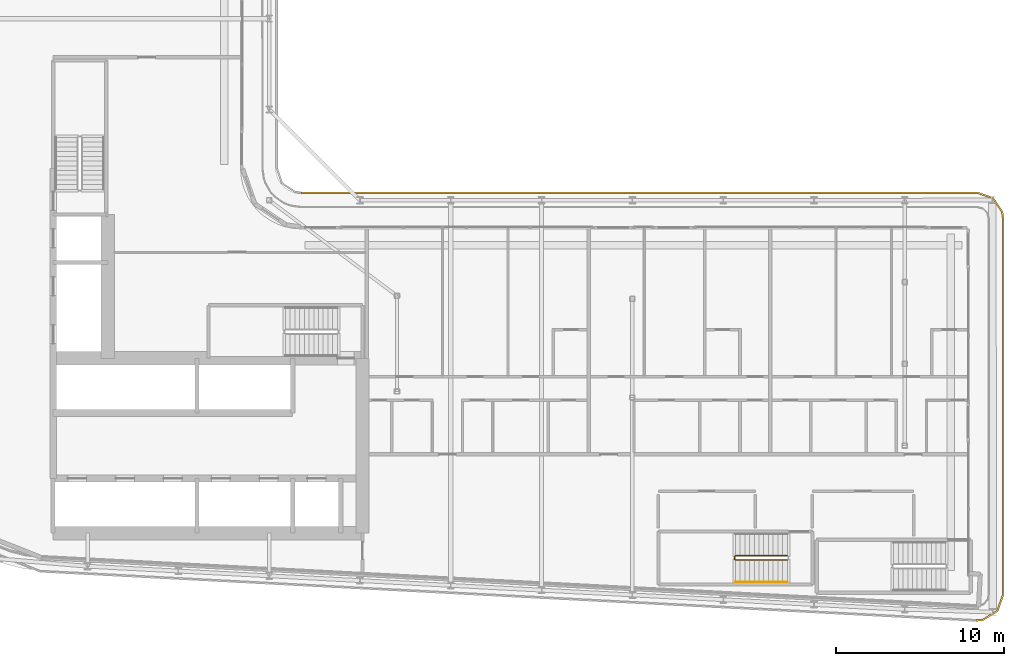
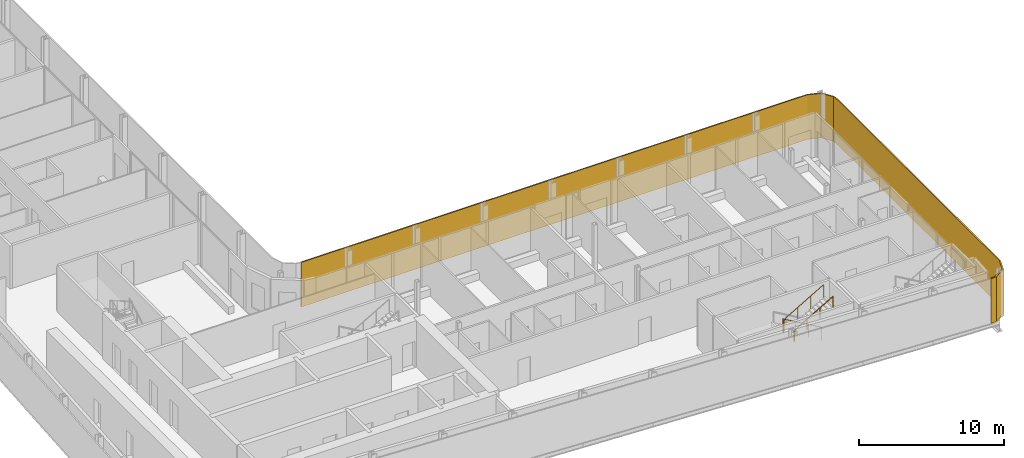
# One storey, part 20 of 24: 2 railings, 1 shading device.
"""IFC4 building model written with IfcOpenShell, lengths in metres."""

from ifc_helpers import new_model, si_unit, direction, frame, origin, origin_2d, place, context, subcontext, project, spatial, polyline, circle, outline, extrude, material, layer, layer_set, type_object, element, save


model = new_model("IFC4")

# Units and contexts
model_context = context("Model", 3, precision=1e-05, world=origin(), true_north=direction((0.0, 1.0)))
body_context = subcontext(model_context, "Body", "Model", "MODEL_VIEW")
ifc_project = project(units=[si_unit("LENGTHUNIT", "METRE"), si_unit("AREAUNIT", "SQUARE_METRE"), si_unit("VOLUMEUNIT", "CUBIC_METRE"), si_unit("PLANEANGLEUNIT", "RADIAN"), si_unit("MASSUNIT", "GRAM", prefix="KILO")], contexts=[model_context])

# Site, building, storey
site_placement = place(None, origin())
site = spatial("IfcSite", under=ifc_project, at=site_placement, CompositionType="ELEMENT")
building_placement = place(site_placement, origin())
building = spatial("IfcBuilding", under=site, at=building_placement, Name="Kheshtan School and Residences Tower", CompositionType="ELEMENT")
storey_placement = place(building_placement, frame((0.0, 0.0, 160.39990234375)))
storey = spatial("IfcBuildingStorey", under=building, at=storey_placement, Name="L37", CompositionType="ELEMENT", Elevation=160.39990234375)

# Shading device
ifc_material_1 = material(Name="Terracotta lattice, extruded ceramic", Category="masonry")
ifc_layer = layer(ifc_material_1, 0.10009765625)
ifc_layer_set = layer_set([ifc_layer], Name="Loggia screen, terracotta lattice")
shading_device_type = type_object("IfcShadingDeviceType", Name="Loggia screen, terracotta lattice", PredefinedType="USERDEFINED", material=ifc_layer_set)
shading_device_placement = place(storey_placement, origin())
element("IfcShadingDevice", 1, at=shading_device_placement, inside=storey, type_object=shading_device_type, Name="Screen L37 2", ObjectType="SCREEN", PredefinedType="USERDEFINED", context=body_context, shape_type="SweptSolid", body=[
    extrude(outline(polyline([(49.5, 46.0), (89.699951171875, 46.0), (90.613037109375, 45.68994140625), (91.14892578125, 44.887939453125), (91.199951171875, 44.5), (91.199951171875, 22.14892578125), (90.8701171875, 21.2099609375), (90.02392578125, 20.68505859375), (89.62109375, 20.652099609375), (89.62890625, 20.552001953125), (90.055908203125, 20.5869140625), (90.952880859375, 21.14404296875), (91.300048828125, 22.132080078125), (91.300048828125, 44.507080078125), (91.2451171875, 44.924072265625), (90.677001953125, 45.77392578125), (89.717041015625, 46.10009765625), (49.5, 46.10009765625), (49.5, 46.0)])), origin(), (0.0, 0.0, 1.0), 3.75),
])

# Railings
ifc_material_2 = material(Name="Stainless steel balustrade", Category="steel")
railing_type_1 = type_object("IfcRailingType", Name="Stair guard 1100", PredefinedType="GUARDRAIL", material=ifc_material_2)
railing_1_placement = place(storey_placement, frame((78.409912109375, 24.449951171875, 0.16259765625)))
element("IfcRailing", 2, at=railing_1_placement, inside=storey, type_object=railing_type_1, Name="L37 ST5 stair guard 1", PredefinedType="GUARDRAIL", context=body_context, shape_type="SweptSolid", body=[
    extrude(circle(Radius=0.02392578125, at=origin_2d()), frame((0.0, 0.0, 1.076171875), z_axis=(-0.864873446163, 0.0, 0.501989962173), x_axis=(0.0, -1.0, 0.0)), (0.0, 0.0, 1.0), 3.56103515625),
    extrude(circle(Radius=0.02392578125, at=origin_2d()), frame((-3.079833984375, 0.0, 2.86376953125), z_axis=(-0.707106781187, -0.707106781187, 0.0), x_axis=(0.707106781187, -0.707106781187, 0.0)), (0.0, 0.0, 1.0), 0.07080078125),
    extrude(circle(Radius=0.02392578125, at=origin_2d()), frame((-3.1298828125, -0.050048828125, 2.86376953125), z_axis=(0.0, -1.0, 0.0), x_axis=(1.0, 0.0, 0.0)), (0.0, 0.0, 1.0), 0.14990234375),
    extrude(circle(Radius=0.02392578125, at=origin_2d()), frame((-3.1298828125, -0.199951171875, 2.86376953125), z_axis=(0.282583949758, -0.282583949758, 0.916674763849), x_axis=(0.707106781187, 0.707106781187, 0.0)), (0.0, 0.0, 1.0), 0.177001953125),
    extrude(circle(Radius=0.02392578125, at=origin_2d()), frame((-3.079833984375, -0.25, 3.02587890625), z_axis=(0.864873446163, 0.0, 0.501989962173), x_axis=(0.0, 1.0, 0.0)), (0.0, 0.0, 1.0), 3.56103515625),
    extrude(circle(Radius=0.02099609375, at=origin_2d()), origin(), (0.0, 0.0, 1.0), 1.052001953125),
    extrude(circle(Radius=0.02099609375, at=origin_2d()), frame((-1.026611328125, 0.0, 0.595947265625)), (0.0, 0.0, 1.0), 1.052001953125),
    extrude(circle(Radius=0.02099609375, at=origin_2d()), frame((-2.05322265625, 0.0, 1.191650390625)), (0.0, 0.0, 1.0), 1.052001953125),
    extrude(circle(Radius=0.02099609375, at=origin_2d()), frame((-3.079833984375, 0.0, 1.78759765625)), (0.0, 0.0, 1.0), 1.052001953125),
    extrude(circle(Radius=0.02099609375, at=origin_2d()), frame((-3.1298828125, -0.050048828125, 1.78759765625)), (0.0, 0.0, 1.0), 1.052001953125),
    extrude(circle(Radius=0.02099609375, at=origin_2d()), frame((-3.1298828125, -0.199951171875, 1.78759765625)), (0.0, 0.0, 1.0), 1.052001953125),
    extrude(circle(Radius=0.02099609375, at=origin_2d()), frame((-3.079833984375, -0.25, 1.949951171875)), (0.0, 0.0, 1.0), 1.052001953125),
    extrude(circle(Radius=0.02099609375, at=origin_2d()), frame((-2.05322265625, -0.25, 2.5458984375)), (0.0, 0.0, 1.0), 1.052001953125),
    extrude(circle(Radius=0.02099609375, at=origin_2d()), frame((-1.026611328125, -0.25, 3.1416015625)), (0.0, 0.0, 1.0), 1.052001953125),
    extrude(circle(Radius=0.02099609375, at=origin_2d()), frame((0.0, -0.25, 3.737548828125)), (0.0, 0.0, 1.0), 1.052001953125),
])
ifc_material_3 = material(Name="Stainless steel handrail", Category="steel")
railing_type_2 = type_object("IfcRailingType", Name="Stair handrail 900", PredefinedType="HANDRAIL", material=ifc_material_3)
railing_2_placement = place(storey_placement, frame((75.330078125, 22.89990234375, 2.112548828125)))
element("IfcRailing", 3, at=railing_2_placement, inside=storey, type_object=railing_type_2, Name="L37 ST5 stair handrail 2", PredefinedType="HANDRAIL", context=body_context, shape_type="SweptSolid", body=[
    extrude(circle(Radius=0.02392578125, at=origin_2d()), frame((0.0, 0.0, 0.8759765625), z_axis=(0.864873446163, 0.0, 0.501989962173), x_axis=(0.0, 1.0, 0.0)), (0.0, 0.0, 1.0), 3.56103515625),
    extrude(circle(Radius=0.02099609375, at=origin_2d()), origin(), (0.0, 0.0, 1.0), 0.851806640625),
    extrude(circle(Radius=0.02099609375, at=origin_2d()), frame((1.026611328125, 0.0, 0.595947265625)), (0.0, 0.0, 1.0), 0.851806640625),
    extrude(circle(Radius=0.02099609375, at=origin_2d()), frame((2.05322265625, 0.0, 1.191650390625)), (0.0, 0.0, 1.0), 0.851806640625),
    extrude(circle(Radius=0.02099609375, at=origin_2d()), frame((3.079833984375, 0.0, 1.78759765625)), (0.0, 0.0, 1.0), 0.851806640625),
])

save(model, "model.ifc")
